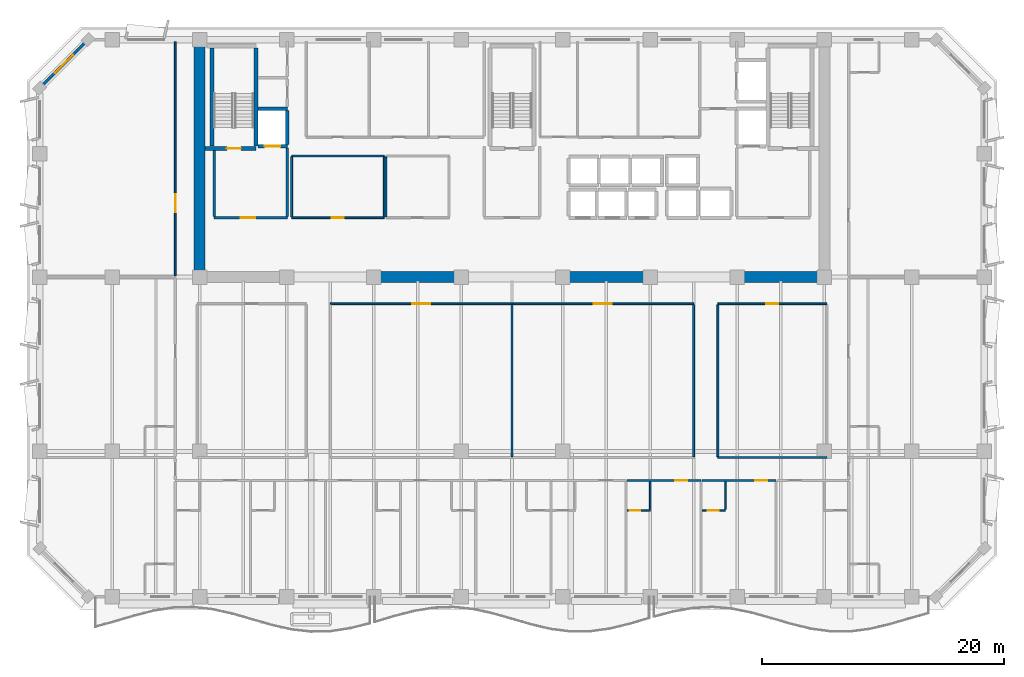
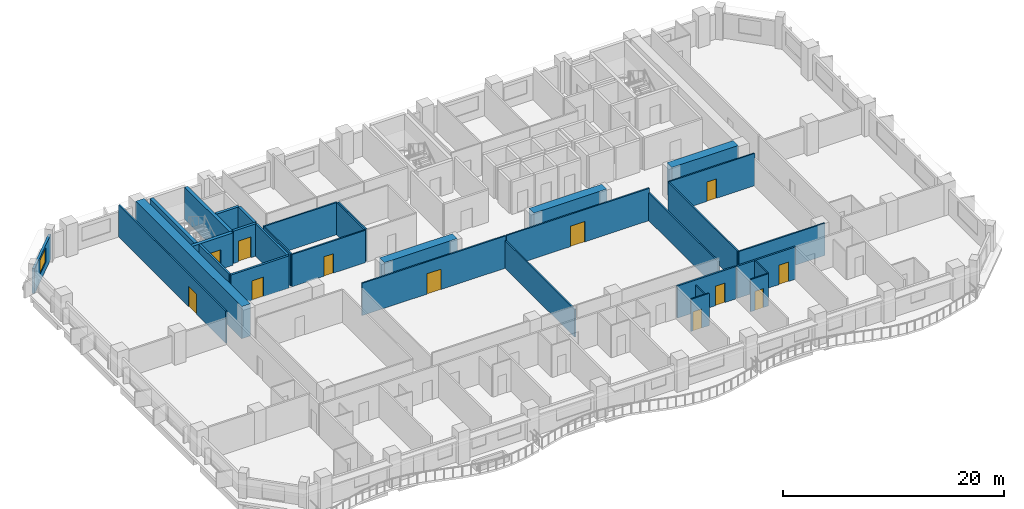
# One storey, part 6 of 15: 33 walls, 12 doors, 1 window, 13 openings.
"""IFC4 building model written with IfcOpenShell, lengths in metres."""

from ifc_helpers import new_model, si_unit, direction, frame, frame_2d, origin, place, context, subcontext, project, spatial, rectangle, extrude, material, layer, layer_set, type_object, element, fill, save


model = new_model("IFC4")

# Units and contexts
model_context = context("Model", 3, precision=1e-05, world=origin(), true_north=direction((0.0, 1.0)))
body_context = subcontext(model_context, "Body", "Model", "MODEL_VIEW")
ifc_project = project(units=[si_unit("LENGTHUNIT", "METRE"), si_unit("AREAUNIT", "SQUARE_METRE"), si_unit("VOLUMEUNIT", "CUBIC_METRE"), si_unit("PLANEANGLEUNIT", "RADIAN"), si_unit("MASSUNIT", "GRAM", prefix="KILO")], contexts=[model_context])

# Site, building, storey
site_placement = place(None, origin())
site = spatial("IfcSite", under=ifc_project, at=site_placement, CompositionType="ELEMENT")
building_placement = place(site_placement, origin())
building = spatial("IfcBuilding", under=site, at=building_placement, Name="Kaelvorn Grand Hotel", CompositionType="ELEMENT")
storey_placement = place(building_placement, frame((0.0, 0.0, 158.14990234375)))
storey = spatial("IfcBuildingStorey", under=building, at=storey_placement, Name="L38", CompositionType="ELEMENT", Elevation=158.14990234375)

# Walls
ifc_material_1 = material(Name="Concrete C60/75", Category="concrete")
ifc_layer_1 = layer(ifc_material_1, 0.89990234375)
ifc_layer_set_1 = layer_set([ifc_layer_1], Name="Concrete C60/75")
wall_type_1 = type_object("IfcWallType", Name="WL-CORE-900-C60", PredefinedType="SHEAR", material=ifc_layer_set_1)
wall_1_placement = place(storey_placement, frame((16.199951171875, 29.39990234375, 0.0), z_axis=(0.0, 0.0, 1.0), x_axis=(0.0, 1.0, 0.0)))
element("IfcWall", 1, at=wall_1_placement, inside=storey, type_object=wall_type_1, Name="L38 Rear-Core West Shear Wall", PredefinedType="SHEAR", context=body_context, shape_type="SweptSolid", body=[
    extrude(rectangle(XDim=19.2001953125, YDim=0.89990234375, at=frame_2d((9.60009765625, 0.0))), origin(), (0.0, 0.0, 1.0), 3.56005859375),
])
for number, where, z_axis, x_axis, name in (
    (2, (30.39990234375, 29.39990234375, 0.0), (0.0, 0.0, 1.0), (1.0, 0.0, 0.0), "L38 Rear-Core Coupled Shear Pier S2"),
    (3, (46.0, 29.39990234375, 0.0), (0.0, 0.0, 1.0), (1.0, 0.0, 0.0), "L38 Rear-Core Coupled Shear Pier S3"),
):
    element("IfcWall", number, at=place(storey_placement, frame(where, z_axis=z_axis, x_axis=x_axis)), inside=storey, type_object=wall_type_1, Name=name, PredefinedType="SHEAR", context=body_context, shape_type="SweptSolid", body=[
        extrude(rectangle(XDim=7.60009765625, YDim=0.89990234375, at=frame_2d((3.800048828125, 0.0))), origin(), (0.0, 0.0, 1.0), 3.56005859375),
    ])
wall_2_placement = place(storey_placement, frame((60.39990234375, 29.39990234375, 0.0), z_axis=(0.0, 0.0, 1.0), x_axis=(1.0, 0.0, 0.0)))
element("IfcWall", 4, at=wall_2_placement, inside=storey, type_object=wall_type_1, Name="L38 Rear-Core Coupled Shear Pier S4", PredefinedType="SHEAR", context=body_context, shape_type="SweptSolid", body=[
    extrude(rectangle(XDim=6.945068359375, YDim=0.89990234375, at=frame_2d((3.47265625, 0.0))), origin(), (0.0, 0.0, 1.0), 3.56005859375),
])

# Wall, opening, window
ifc_material_2 = material(Name="Concrete C40/50", Category="concrete")
ifc_layer_2 = layer(ifc_material_2, 0.239990234375)
ifc_layer_set_2 = layer_set([ifc_layer_2], Name="Concrete C40/50")
wall_type_2 = type_object("IfcWallType", Name="WL-EXT-240-C40", PredefinedType="SOLIDWALL", material=ifc_layer_set_2)
wall_3_placement = place(storey_placement, frame((7.0, 49.0, 0.0), z_axis=(0.0, 0.0, 1.0), x_axis=(-0.707106781187, -0.707106781187, 0.0)))
wall_3 = element("IfcWall", 5, at=wall_3_placement, inside=storey, type_object=wall_type_2, Name="L38 Exterior Architectural Concrete Wall 06", PredefinedType="SOLIDWALL", context=body_context, shape_type="SweptSolid", body=[
    extrude(rectangle(XDim=5.65673828125, YDim=0.239990234375, at=frame_2d((2.828369140625, 0.0))), origin(), (0.0, 0.0, 1.0), 2.760009765625),
])
opening_1_placement = place(wall_3_placement, frame((1.7783203125, 0.0, 0.85009765625)))
opening_1 = element("IfcOpeningElement", 6, at=opening_1_placement, cuts=wall_3, Name="Opening W7", PredefinedType="OPENING", context=body_context, shape_type="SweptSolid", body=[
    extrude(rectangle(XDim=2.10009765625, YDim=1.60009765625, at=frame_2d((1.050048828125, 0.800048828125))), frame((0.0, 0.1298828125, 0.0), z_axis=(0.0, -1.0, 0.0), x_axis=(1.0, 0.0, 0.0)), (0.0, 0.0, 1.0), 0.260009765625),
])
ifc_material_3 = material(Name="Laminated Low-E Glass", Category="glass")
window_type = type_object("IfcWindowType", Name="WIN-CHM-2100x1600", PartitioningType="SINGLE_PANEL", PredefinedType="WINDOW", material=ifc_material_3)
window_placement = place(opening_1_placement, origin())
window = element("IfcWindow", 7, at=window_placement, inside=storey, type_object=window_type, Name="L38 Chamfered 45-Degree Corner Window NW", OverallHeight=1.60009765625, OverallWidth=2.10009765625, PartitioningType="SINGLE_PANEL", PredefinedType="WINDOW", context=body_context, shape_type="SweptSolid", body=[
    extrude(rectangle(XDim=2.10009765625, YDim=1.60009765625, at=frame_2d((1.050048828125, 0.800048828125))), frame((0.0, 0.030029296875, 0.0), z_axis=(0.0, -1.0, 0.0), x_axis=(1.0, 0.0, 0.0)), (0.0, 0.0, 1.0), 0.06005859375),
])
fill(opening_1, window)

# Wall, opening, door
ifc_material_4 = material(Name="Moisture-Resistant Tile & Stud Board")
ifc_layer_3 = layer(ifc_material_4, 0.125)
ifc_layer_set_3 = layer_set([ifc_layer_3], Name="Moisture-Resistant Tile & Stud Board")
wall_type_3 = type_object("IfcWallType", Name="WL-PART-125-WET", PredefinedType="PARTITIONING", material=ifc_layer_set_3)
wall_4_placement = place(storey_placement, frame((51.504150390625, 10.139892578125, 0.0), z_axis=(0.0, 0.0, 1.0), x_axis=(1.0, 0.0, 0.0)))
wall_4 = element("IfcWall", 8, at=wall_4_placement, inside=storey, type_object=wall_type_3, Name="L38 En-suite Bathroom L38-07 S Partition", PredefinedType="PARTITIONING", context=body_context, shape_type="SweptSolid", body=[
    extrude(rectangle(XDim=1.905029296875, YDim=0.125, at=frame_2d((0.95263671875, 0.0))), origin(), (0.0, 0.0, 1.0), 3.56005859375),
])
opening_2_placement = place(wall_4_placement, frame((0.205078125, 0.0, 0.0)))
opening_2 = element("IfcOpeningElement", 9, at=opening_2_placement, cuts=wall_4, Name="Opening DI4", PredefinedType="OPENING", context=body_context, shape_type="SweptSolid", body=[
    extrude(rectangle(XDim=0.89990234375, YDim=2.10009765625, at=frame_2d((0.449951171875, 1.050048828125))), frame((0.0, 0.072509765625, 0.0), z_axis=(0.0, -1.0, 0.0), x_axis=(1.0, 0.0, 0.0)), (0.0, 0.0, 1.0), 0.14501953125),
])
ifc_material_5 = material(Name="Timber Veneer Leaf", Category="wood")
door_type_1 = type_object("IfcDoorType", Name="DR-INT-BATH-900x2100", OperationType="NOTDEFINED", PredefinedType="DOOR", material=ifc_material_5)
door_1_placement = place(opening_2_placement, origin())
door_1 = element("IfcDoor", 10, at=door_1_placement, inside=storey, type_object=door_type_1, Name="L38 En-suite Bathroom L38-07 Door", OperationType="SINGLE_SWING_LEFT", OverallHeight=2.10009765625, OverallWidth=0.89990234375, PredefinedType="DOOR", context=body_context, shape_type="SweptSolid", body=[
    extrude(rectangle(XDim=0.89990234375, YDim=2.10009765625, at=frame_2d((0.449951171875, 1.050048828125))), frame((0.0, 0.02490234375, 0.0), z_axis=(0.0, -1.0, 0.0), x_axis=(1.0, 0.0, 0.0)), (0.0, 0.0, 1.0), 0.050048828125),
])
fill(opening_2, door_1)

# Wall
wall_5_placement = place(storey_placement, frame((53.4091796875, 10.20751953125, 0.0), z_axis=(0.0, 0.0, 1.0), x_axis=(0.0, 1.0, 0.0)))
element("IfcWall", 11, at=wall_5_placement, inside=storey, type_object=wall_type_3, Name="L38 En-suite Bathroom L38-07 E Partition", PredefinedType="PARTITIONING", context=body_context, shape_type="SweptSolid", body=[
    extrude(rectangle(XDim=2.29736328125, YDim=0.125, at=frame_2d((1.148681640625, 0.0))), origin(), (0.0, 0.0, 1.0), 3.010009765625),
])

# Wall, opening, door
wall_6_placement = place(storey_placement, frame((57.705810546875, 10.139892578125, 0.0), z_axis=(0.0, 0.0, 1.0), x_axis=(1.0, 0.0, 0.0)))
wall_6 = element("IfcWall", 12, at=wall_6_placement, inside=storey, type_object=wall_type_3, Name="L38 En-suite Bathroom L38-08 S Partition", PredefinedType="PARTITIONING", context=body_context, shape_type="SweptSolid", body=[
    extrude(rectangle(XDim=1.905029296875, YDim=0.125, at=frame_2d((0.95263671875, 0.0))), origin(), (0.0, 0.0, 1.0), 3.56005859375),
])
opening_3_placement = place(wall_6_placement, frame((0.455078125, 0.0, 0.0)))
opening_3 = element("IfcOpeningElement", 13, at=opening_3_placement, cuts=wall_6, Name="Opening DI4", PredefinedType="OPENING", context=body_context, shape_type="SweptSolid", body=[
    extrude(rectangle(XDim=0.89990234375, YDim=2.10009765625, at=frame_2d((0.449951171875, 1.050048828125))), frame((0.0, 0.072509765625, 0.0), z_axis=(0.0, -1.0, 0.0), x_axis=(1.0, 0.0, 0.0)), (0.0, 0.0, 1.0), 0.14501953125),
])
door_2_placement = place(opening_3_placement, origin())
door_2 = element("IfcDoor", 14, at=door_2_placement, inside=storey, type_object=door_type_1, Name="L38 En-suite Bathroom L38-08 Door", OperationType="SINGLE_SWING_LEFT", OverallHeight=2.10009765625, OverallWidth=0.89990234375, PredefinedType="DOOR", context=body_context, shape_type="SweptSolid", body=[
    extrude(rectangle(XDim=0.89990234375, YDim=2.10009765625, at=frame_2d((0.449951171875, 1.050048828125))), frame((0.0, 0.02490234375, 0.0), z_axis=(0.0, -1.0, 0.0), x_axis=(1.0, 0.0, 0.0)), (0.0, 0.0, 1.0), 0.050048828125),
])
fill(opening_3, door_2)

# Walls
wall_7_placement = place(storey_placement, frame((59.61083984375, 10.20751953125, 0.0), z_axis=(0.0, 0.0, 1.0), x_axis=(0.0, 1.0, 0.0)))
element("IfcWall", 15, at=wall_7_placement, inside=storey, type_object=wall_type_3, Name="L38 En-suite Bathroom L38-08 E Partition", PredefinedType="PARTITIONING", context=body_context, shape_type="SweptSolid", body=[
    extrude(rectangle(XDim=2.29736328125, YDim=0.125, at=frame_2d((1.148681640625, 0.0))), origin(), (0.0, 0.0, 1.0), 3.56005859375),
])
ifc_material_6 = material(Name="Acoustic Gypsum & Stud Partition")
ifc_layer_4 = layer(ifc_material_6, 0.14990234375)
ifc_layer_set_4 = layer_set([ifc_layer_4], Name="Acoustic Gypsum & Stud Partition")
wall_type_4 = type_object("IfcWallType", Name="WL-PART-150-EI60", PredefinedType="PARTITIONING", material=ifc_layer_set_4)
wall_8_placement = place(storey_placement, frame((31.60009765625, 34.3798828125, 0.0), z_axis=(0.0, 0.0, 1.0), x_axis=(0.0, 1.0, 0.0)))
element("IfcWall", 16, at=wall_8_placement, inside=storey, type_object=wall_type_4, Name="L38 Core Telecoms & BMS Server Room W Partition", PredefinedType="PARTITIONING", context=body_context, shape_type="SweptSolid", body=[
    extrude(rectangle(XDim=4.940185546875, YDim=0.14990234375, at=frame_2d((2.47021484375, 0.0))), origin(), (0.0, 0.0, 1.0), 3.56005859375),
])

# Wall, opening, door
wall_9_placement = place(storey_placement, frame((23.800048828125, 34.300048828125, 0.0), z_axis=(0.0, 0.0, 1.0), x_axis=(1.0, 0.0, 0.0)))
wall_9 = element("IfcWall", 17, at=wall_9_placement, inside=storey, type_object=wall_type_4, Name="L38 Executive Club Sitting Lounge S Partition", PredefinedType="PARTITIONING", context=body_context, shape_type="SweptSolid", body=[
    extrude(rectangle(XDim=7.64990234375, YDim=0.14990234375, at=frame_2d((3.824951171875, 0.0))), origin(), (0.0, 0.0, 1.0), 3.56005859375),
])
opening_4_placement = place(wall_9_placement, frame((3.300048828125, 0.0, 0.0)))
opening_4 = element("IfcOpeningElement", 18, at=opening_4_placement, cuts=wall_9, Name="Opening DI3", PredefinedType="OPENING", context=body_context, shape_type="SweptSolid", body=[
    extrude(rectangle(XDim=1.0, YDim=2.14990234375, at=frame_2d((0.5, 1.074951171875))), frame((0.0, 0.0849609375, 0.0), z_axis=(0.0, -1.0, 0.0), x_axis=(1.0, 0.0, 0.0)), (0.0, 0.0, 1.0), 0.169921875),
])
ifc_material_7 = material(Name="Timber Veneer Fire Leaf", Category="wood")
door_type_2 = type_object("IfcDoorType", Name="DR-INT-GUEST-1000x2150", OperationType="NOTDEFINED", PredefinedType="DOOR", material=ifc_material_7)
door_3_placement = place(opening_4_placement, origin())
door_3 = element("IfcDoor", 19, at=door_3_placement, inside=storey, type_object=door_type_2, Name="L38 Executive Club Sitting Lounge Door", OperationType="SINGLE_SWING_LEFT", OverallHeight=2.14990234375, OverallWidth=1.0, PredefinedType="DOOR", context=body_context, shape_type="SweptSolid", body=[
    extrude(rectangle(XDim=1.0, YDim=2.14990234375, at=frame_2d((0.5, 1.074951171875))), frame((0.0, 0.02490234375, 0.0), z_axis=(0.0, -1.0, 0.0), x_axis=(1.0, 0.0, 0.0)), (0.0, 0.0, 1.0), 0.050048828125),
])
fill(opening_4, door_3)

# Walls
wall_10_placement = place(storey_placement, frame((23.800048828125, 39.39990234375, 0.0), z_axis=(0.0, 0.0, 1.0), x_axis=(1.0, 0.0, 0.0)))
element("IfcWall", 20, at=wall_10_placement, inside=storey, type_object=wall_type_4, Name="L38 Executive Club Sitting Lounge N Partition", PredefinedType="PARTITIONING", context=body_context, shape_type="SweptSolid", body=[
    extrude(rectangle(XDim=7.64990234375, YDim=0.14990234375, at=frame_2d((3.824951171875, 0.0))), origin(), (0.0, 0.0, 1.0), 3.56005859375),
])
for number, where, z_axis, x_axis, name in (
    (21, (23.800048828125, 34.3798828125, 0.0), (0.0, 0.0, 1.0), (0.0, 1.0, 0.0), "L38 Executive Club Sitting Lounge W Partition"),
    (22, (31.449951171875, 34.3798828125, 0.0), (0.0, 0.0, 1.0), (0.0, 1.0, 0.0), "L38 Executive Club Sitting Lounge E Partition"),
):
    element("IfcWall", number, at=place(storey_placement, frame(where, z_axis=z_axis, x_axis=x_axis)), inside=storey, type_object=wall_type_4, Name=name, PredefinedType="PARTITIONING", context=body_context, shape_type="SweptSolid", body=[
        extrude(rectangle(XDim=4.940185546875, YDim=0.14990234375, at=frame_2d((2.47021484375, 0.0))), origin(), (0.0, 0.0, 1.0), 3.56005859375),
    ])

# Wall, opening, door
wall_11_placement = place(storey_placement, frame((27.0, 27.199951171875, 0.0), z_axis=(0.0, 0.0, 1.0), x_axis=(1.0, 0.0, 0.0)))
wall_11 = element("IfcWall", 23, at=wall_11_placement, inside=storey, type_object=wall_type_4, Name="L38 Chef Finishing Kitchen N Partition", PredefinedType="PARTITIONING", context=body_context, shape_type="SweptSolid", body=[
    extrude(rectangle(XDim=15.0, YDim=0.14990234375, at=frame_2d((7.5, 0.0))), origin(), (0.0, 0.0, 1.0), 3.56005859375),
])
opening_5_placement = place(wall_11_placement, frame((6.75, 0.0, 0.0)))
opening_5 = element("IfcOpeningElement", 24, at=opening_5_placement, cuts=wall_11, Name="Opening DI5", PredefinedType="OPENING", context=body_context, shape_type="SweptSolid", body=[
    extrude(rectangle(XDim=1.5, YDim=2.25, at=frame_2d((0.75, 1.125))), frame((0.0, 0.0849609375, 0.0), z_axis=(0.0, -1.0, 0.0), x_axis=(1.0, 0.0, 0.0)), (0.0, 0.0, 1.0), 0.169921875),
])
door_type_3 = type_object("IfcDoorType", Name="DR-INT-SALON-1500x2250", OperationType="DOUBLE_DOOR_SINGLE_SWING", PredefinedType="DOOR", material=ifc_material_7)
door_4_placement = place(opening_5_placement, origin())
door_4 = element("IfcDoor", 25, at=door_4_placement, inside=storey, type_object=door_type_3, Name="L38 Chef Finishing Kitchen Door", OperationType="DOUBLE_DOOR_SINGLE_SWING", OverallHeight=2.25, OverallWidth=1.5, PredefinedType="DOOR", context=body_context, shape_type="SweptSolid", body=[
    extrude(rectangle(XDim=1.5, YDim=2.25, at=frame_2d((0.75, 1.125))), frame((0.0, 0.02490234375, 0.0), z_axis=(0.0, -1.0, 0.0), x_axis=(1.0, 0.0, 0.0)), (0.0, 0.0, 1.0), 0.050048828125),
])
fill(opening_5, door_4)

# Wall
wall_12_placement = place(storey_placement, frame((42.0, 14.580078125, 0.0), z_axis=(0.0, 0.0, 1.0), x_axis=(0.0, 1.0, 0.0)))
element("IfcWall", 26, at=wall_12_placement, inside=storey, type_object=wall_type_4, Name="L38 Chef Finishing Kitchen E Partition", PredefinedType="PARTITIONING", context=body_context, shape_type="SweptSolid", body=[
    extrude(rectangle(XDim=12.5400390625, YDim=0.14990234375, at=frame_2d((6.27001953125, 0.0))), origin(), (0.0, 0.0, 1.0), 3.06005859375),
])

# Wall, opening, door
wall_13_placement = place(storey_placement, frame((42.080078125, 27.199951171875, 0.0), z_axis=(0.0, 0.0, 1.0), x_axis=(1.0, 0.0, 0.0)))
wall_13 = element("IfcWall", 27, at=wall_13_placement, inside=storey, type_object=wall_type_4, Name="L38 Conference Seminar Room N Partition", PredefinedType="PARTITIONING", context=body_context, shape_type="SweptSolid", body=[
    extrude(rectangle(XDim=14.919921875, YDim=0.14990234375, at=frame_2d((7.4599609375, 0.0))), origin(), (0.0, 0.0, 1.0), 3.56005859375),
])
opening_6_placement = place(wall_13_placement, frame((6.669921875, 0.0, 0.0)))
opening_6 = element("IfcOpeningElement", 28, at=opening_6_placement, cuts=wall_13, Name="Opening DI5", PredefinedType="OPENING", context=body_context, shape_type="SweptSolid", body=[
    extrude(rectangle(XDim=1.5, YDim=2.25, at=frame_2d((0.75, 1.125))), frame((0.0, 0.0849609375, 0.0), z_axis=(0.0, -1.0, 0.0), x_axis=(1.0, 0.0, 0.0)), (0.0, 0.0, 1.0), 0.169921875),
])
door_5_placement = place(opening_6_placement, origin())
door_5 = element("IfcDoor", 29, at=door_5_placement, inside=storey, type_object=door_type_3, Name="L38 Conference Seminar Room Door", OperationType="DOUBLE_DOOR_SINGLE_SWING", OverallHeight=2.25, OverallWidth=1.5, PredefinedType="DOOR", context=body_context, shape_type="SweptSolid", body=[
    extrude(rectangle(XDim=1.5, YDim=2.25, at=frame_2d((0.75, 1.125))), frame((0.0, 0.02490234375, 0.0), z_axis=(0.0, -1.0, 0.0), x_axis=(1.0, 0.0, 0.0)), (0.0, 0.0, 1.0), 0.050048828125),
])
fill(opening_6, door_5)

# Walls
wall_14_placement = place(storey_placement, frame((57.0, 14.580078125, 0.0), z_axis=(0.0, 0.0, 1.0), x_axis=(0.0, 1.0, 0.0)))
element("IfcWall", 30, at=wall_14_placement, inside=storey, type_object=wall_type_4, Name="L38 Conference Seminar Room E Partition", PredefinedType="PARTITIONING", context=body_context, shape_type="SweptSolid", body=[
    extrude(rectangle(XDim=12.5400390625, YDim=0.14990234375, at=frame_2d((6.27001953125, 0.0))), origin(), (0.0, 0.0, 1.0), 3.06005859375),
])
wall_15_placement = place(storey_placement, frame((59.0, 14.5, 0.0), z_axis=(0.0, 0.0, 1.0), x_axis=(1.0, 0.0, 0.0)))
element("IfcWall", 31, at=wall_15_placement, inside=storey, type_object=wall_type_4, Name="L38 Concierge Admin Office S Partition", PredefinedType="PARTITIONING", context=body_context, shape_type="SweptSolid", body=[
    extrude(rectangle(XDim=9.0, YDim=0.14990234375, at=frame_2d((4.5, 0.0))), origin(), (0.0, 0.0, 1.0), 3.56005859375),
])

# Wall, opening, door
wall_16_placement = place(storey_placement, frame((59.0, 27.199951171875, 0.0), z_axis=(0.0, 0.0, 1.0), x_axis=(1.0, 0.0, 0.0)))
wall_16 = element("IfcWall", 32, at=wall_16_placement, inside=storey, type_object=wall_type_4, Name="L38 Concierge Admin Office N Partition", PredefinedType="PARTITIONING", context=body_context, shape_type="SweptSolid", body=[
    extrude(rectangle(XDim=9.0, YDim=0.14990234375, at=frame_2d((4.5, 0.0))), origin(), (0.0, 0.0, 1.0), 3.56005859375),
])
opening_7_placement = place(wall_16_placement, frame((4.0, 0.0, 0.0)))
opening_7 = element("IfcOpeningElement", 33, at=opening_7_placement, cuts=wall_16, Name="Opening DI3", PredefinedType="OPENING", context=body_context, shape_type="SweptSolid", body=[
    extrude(rectangle(XDim=1.0, YDim=2.14990234375, at=frame_2d((0.5, 1.074951171875))), frame((0.0, 0.0849609375, 0.0), z_axis=(0.0, -1.0, 0.0), x_axis=(1.0, 0.0, 0.0)), (0.0, 0.0, 1.0), 0.169921875),
])
door_6_placement = place(opening_7_placement, origin())
door_6 = element("IfcDoor", 34, at=door_6_placement, inside=storey, type_object=door_type_2, Name="L38 Concierge Admin Office Door", OperationType="SINGLE_SWING_LEFT", OverallHeight=2.14990234375, OverallWidth=1.0, PredefinedType="DOOR", context=body_context, shape_type="SweptSolid", body=[
    extrude(rectangle(XDim=1.0, YDim=2.14990234375, at=frame_2d((0.5, 1.074951171875))), frame((0.0, 0.02490234375, 0.0), z_axis=(0.0, -1.0, 0.0), x_axis=(1.0, 0.0, 0.0)), (0.0, 0.0, 1.0), 0.050048828125),
])
fill(opening_7, door_6)

# Wall
wall_17_placement = place(storey_placement, frame((59.0, 14.580078125, 0.0), z_axis=(0.0, 0.0, 1.0), x_axis=(0.0, 1.0, 0.0)))
element("IfcWall", 35, at=wall_17_placement, inside=storey, type_object=wall_type_4, Name="L38 Concierge Admin Office W Partition", PredefinedType="PARTITIONING", context=body_context, shape_type="SweptSolid", body=[
    extrude(rectangle(XDim=12.5400390625, YDim=0.14990234375, at=frame_2d((6.27001953125, 0.0))), origin(), (0.0, 0.0, 1.0), 3.56005859375),
])

# Wall, opening, door
wall_18_placement = place(storey_placement, frame((14.199951171875, 29.4951171875, 0.0), z_axis=(0.0, 0.0, 1.0), x_axis=(0.0, 1.0, 0.0)))
wall_18 = element("IfcWall", 36, at=wall_18_placement, inside=storey, type_object=wall_type_4, Name="L38 North-West Conference Seminar Room E Partition", PredefinedType="PARTITIONING", context=body_context, shape_type="SweptSolid", body=[
    extrude(rectangle(XDim=19.35498046875, YDim=0.14990234375, at=frame_2d((9.677490234375, 0.0))), origin(), (0.0, 0.0, 1.0), 3.56005859375),
])
opening_8_placement = place(wall_18_placement, frame((5.2548828125, 0.0, 0.0)))
opening_8 = element("IfcOpeningElement", 37, at=opening_8_placement, cuts=wall_18, Name="Opening DI5", PredefinedType="OPENING", context=body_context, shape_type="SweptSolid", body=[
    extrude(rectangle(XDim=1.5, YDim=2.25, at=frame_2d((0.75, 1.125))), frame((0.0, 0.0849609375, 0.0), z_axis=(0.0, -1.0, 0.0), x_axis=(1.0, 0.0, 0.0)), (0.0, 0.0, 1.0), 0.169921875),
])
door_7_placement = place(opening_8_placement, origin())
door_7 = element("IfcDoor", 38, at=door_7_placement, inside=storey, type_object=door_type_3, Name="L38 North-West Conference Seminar Room Door", OperationType="DOUBLE_DOOR_SINGLE_SWING", OverallHeight=2.25, OverallWidth=1.5, PredefinedType="DOOR", context=body_context, shape_type="SweptSolid", body=[
    extrude(rectangle(XDim=1.5, YDim=2.25, at=frame_2d((0.75, 1.125))), frame((0.0, 0.02490234375, 0.0), z_axis=(0.0, -1.0, 0.0), x_axis=(1.0, 0.0, 0.0)), (0.0, 0.0, 1.0), 0.050048828125),
])
fill(opening_8, door_7)

ifc_layer_5 = layer(ifc_material_6, 0.179931640625)
ifc_layer_set_5 = layer_set([ifc_layer_5], Name="Acoustic Gypsum & Stud Partition")
wall_type_5 = type_object("IfcWallType", Name="WL-PART-180-EI60", PredefinedType="PARTITIONING", material=ifc_layer_set_5)
wall_19_placement = place(storey_placement, frame((51.504150390625, 12.60009765625, 0.0), z_axis=(0.0, 0.0, 1.0), x_axis=(1.0, 0.0, 0.0)))
wall_19 = element("IfcWall", 39, at=wall_19_placement, inside=storey, type_object=wall_type_5, Name="L38 Superior King Guest Room L38-07 N Partition", PredefinedType="PARTITIONING", context=body_context, shape_type="SweptSolid", body=[
    extrude(rectangle(XDim=6.106689453125, YDim=0.179931640625, at=frame_2d((3.05322265625, 0.0))), origin(), (0.0, 0.0, 1.0), 3.56005859375),
])
opening_9_placement = place(wall_19_placement, frame((3.955810546875, 0.0, 0.0)))
opening_9 = element("IfcOpeningElement", 40, at=opening_9_placement, cuts=wall_19, Name="Opening DI3", PredefinedType="OPENING", context=body_context, shape_type="SweptSolid", body=[
    extrude(rectangle(XDim=1.0, YDim=2.14990234375, at=frame_2d((0.5, 1.074951171875))), frame((0.0, 0.10009765625, 0.0), z_axis=(0.0, -1.0, 0.0), x_axis=(1.0, 0.0, 0.0)), (0.0, 0.0, 1.0), 0.199951171875),
])
door_8_placement = place(opening_9_placement, origin())
door_8 = element("IfcDoor", 41, at=door_8_placement, inside=storey, type_object=door_type_2, Name="L38 Superior King Guest Room L38-07 Door", OperationType="SINGLE_SWING_RIGHT", OverallHeight=2.14990234375, OverallWidth=1.0, PredefinedType="DOOR", context=body_context, shape_type="SweptSolid", body=[
    extrude(rectangle(XDim=1.0, YDim=2.14990234375, at=frame_2d((0.5, 1.074951171875))), frame((0.0, 0.02490234375, 0.0), z_axis=(0.0, -1.0, 0.0), x_axis=(1.0, 0.0, 0.0)), (0.0, 0.0, 1.0), 0.050048828125),
])
fill(opening_9, door_8)

wall_20_placement = place(storey_placement, frame((57.705810546875, 12.60009765625, 0.0), z_axis=(0.0, 0.0, 1.0), x_axis=(1.0, 0.0, 0.0)))
wall_20 = element("IfcWall", 42, at=wall_20_placement, inside=storey, type_object=wall_type_5, Name="L38 Superior King Guest Room L38-08 N Partition", PredefinedType="PARTITIONING", context=body_context, shape_type="SweptSolid", body=[
    extrude(rectangle(XDim=6.1064453125, YDim=0.179931640625, at=frame_2d((3.05322265625, 0.0))), origin(), (0.0, 0.0, 1.0), 3.56005859375),
])
opening_10_placement = place(wall_20_placement, frame((4.390380859375, 0.0, 0.0)))
opening_10 = element("IfcOpeningElement", 43, at=opening_10_placement, cuts=wall_20, Name="Opening DI3", PredefinedType="OPENING", context=body_context, shape_type="SweptSolid", body=[
    extrude(rectangle(XDim=1.0, YDim=2.14990234375, at=frame_2d((0.5, 1.074951171875))), frame((0.0, 0.10009765625, 0.0), z_axis=(0.0, -1.0, 0.0), x_axis=(1.0, 0.0, 0.0)), (0.0, 0.0, 1.0), 0.199951171875),
])
door_9_placement = place(opening_10_placement, origin())
door_9 = element("IfcDoor", 44, at=door_9_placement, inside=storey, type_object=door_type_2, Name="L38 Superior King Guest Room L38-08 Door", OperationType="SINGLE_SWING_RIGHT", OverallHeight=2.14990234375, OverallWidth=1.0, PredefinedType="DOOR", context=body_context, shape_type="SweptSolid", body=[
    extrude(rectangle(XDim=1.0, YDim=2.14990234375, at=frame_2d((0.5, 1.074951171875))), frame((0.0, 0.02490234375, 0.0), z_axis=(0.0, -1.0, 0.0), x_axis=(1.0, 0.0, 0.0)), (0.0, 0.0, 1.0), 0.050048828125),
])
fill(opening_10, door_9)

ifc_layer_6 = layer(ifc_material_2, 0.219970703125)
ifc_layer_set_6 = layer_set([ifc_layer_6], Name="Concrete C40/50")
wall_type_6 = type_object("IfcWallType", Name="WL-PART-220-EI120", PredefinedType="PARTITIONING", material=ifc_layer_set_6)
wall_21_placement = place(storey_placement, frame((17.39990234375, 34.300048828125, 0.0), z_axis=(0.0, 0.0, 1.0), x_axis=(1.0, 0.0, 0.0)))
wall_21 = element("IfcWall", 45, at=wall_21_placement, inside=storey, type_object=wall_type_6, Name="L38 Firefighting Lift Lobby 1 S Partition", PredefinedType="PARTITIONING", context=body_context, shape_type="SweptSolid", body=[
    extrude(rectangle(XDim=6.050048828125, YDim=0.219970703125, at=frame_2d((3.02490234375, 0.0))), origin(), (0.0, 0.0, 1.0), 3.56005859375),
])
opening_11_placement = place(wall_21_placement, frame((2.199951171875, 0.0, 0.0)))
opening_11 = element("IfcOpeningElement", 46, at=opening_11_placement, cuts=wall_21, Name="Opening DI2", PredefinedType="OPENING", context=body_context, shape_type="SweptSolid", body=[
    extrude(rectangle(XDim=1.199951171875, YDim=2.14990234375, at=frame_2d((0.60009765625, 1.074951171875))), frame((0.0, 0.1201171875, 0.0), z_axis=(0.0, -1.0, 0.0), x_axis=(1.0, 0.0, 0.0)), (0.0, 0.0, 1.0), 0.239990234375),
])
door_type_4 = type_object("IfcDoorType", Name="DR-INT-FFLOB-1200x2150", OperationType="NOTDEFINED", PredefinedType="DOOR", material=ifc_material_7)
door_10_placement = place(opening_11_placement, origin())
door_10 = element("IfcDoor", 47, at=door_10_placement, inside=storey, type_object=door_type_4, Name="L38 Firefighting Lift Lobby 1 Door", OperationType="SINGLE_SWING_RIGHT", OverallHeight=2.14990234375, OverallWidth=1.199951171875, PredefinedType="DOOR", context=body_context, shape_type="SweptSolid", body=[
    extrude(rectangle(XDim=1.199951171875, YDim=2.14990234375, at=frame_2d((0.60009765625, 1.074951171875))), frame((0.0, 0.02490234375, 0.0), z_axis=(0.0, -1.0, 0.0), x_axis=(1.0, 0.0, 0.0)), (0.0, 0.0, 1.0), 0.050048828125),
])
fill(opening_11, door_10)

# Walls
wall_22_placement = place(storey_placement, frame((17.39990234375, 34.4150390625, 0.0), z_axis=(0.0, 0.0, 1.0), x_axis=(0.0, 1.0, 0.0)))
element("IfcWall", 48, at=wall_22_placement, inside=storey, type_object=wall_type_6, Name="L38 Firefighting Lift Lobby 1 W Partition", PredefinedType="PARTITIONING", context=body_context, shape_type="SweptSolid", body=[
    extrude(rectangle(XDim=5.429931640625, YDim=0.219970703125, at=frame_2d((2.71484375, 0.0))), origin(), (0.0, 0.0, 1.0), 3.56005859375),
])
wall_23_placement = place(storey_placement, frame((23.449951171875, 34.4150390625, 0.0), z_axis=(0.0, 0.0, 1.0), x_axis=(0.0, 1.0, 0.0)))
element("IfcWall", 49, at=wall_23_placement, inside=storey, type_object=wall_type_6, Name="L38 Firefighting Lift Lobby 1 E Partition", PredefinedType="PARTITIONING", context=body_context, shape_type="SweptSolid", body=[
    extrude(rectangle(XDim=5.639892578125, YDim=0.219970703125, at=frame_2d((2.81982421875, 0.0))), origin(), (0.0, 0.0, 1.0), 3.56005859375),
])

# Wall, opening, door
ifc_material_8 = material(Name="Concrete C50/60", Category="concrete")
ifc_layer_7 = layer(ifc_material_8, 0.280029296875)
ifc_layer_set_7 = layer_set([ifc_layer_7], Name="Concrete C50/60")
wall_type_7 = type_object("IfcWallType", Name="WL-SHAFT-280-C50", PredefinedType="SHEAR", material=ifc_layer_set_7)
wall_24_placement = place(storey_placement, frame((21.034912109375, 40.199951171875, 0.0), z_axis=(0.0, 0.0, 1.0), x_axis=(1.0, 0.0, 0.0)))
wall_24 = element("IfcWall", 50, at=wall_24_placement, inside=storey, type_object=wall_type_7, Name="L38 Lift FFL1 Shaft South Wall", PredefinedType="SHEAR", context=body_context, shape_type="SweptSolid", body=[
    extrude(rectangle(XDim=2.4150390625, YDim=0.280029296875, at=frame_2d((1.20751953125, 0.0))), origin(), (0.0, 0.0, 1.0), 3.56005859375),
])
opening_12_placement = place(wall_24_placement, frame((0.5400390625, 0.0, 0.0)))
opening_12 = element("IfcOpeningElement", 51, at=opening_12_placement, cuts=wall_24, Name="Opening LD-FFL1", PredefinedType="OPENING", context=body_context, shape_type="SweptSolid", body=[
    extrude(rectangle(XDim=1.300048828125, YDim=2.300048828125, at=frame_2d((0.64990234375, 1.14990234375))), frame((0.0, 0.14990234375, 0.0), z_axis=(0.0, -1.0, 0.0), x_axis=(1.0, 0.0, 0.0)), (0.0, 0.0, 1.0), 0.300048828125),
])
ifc_material_9 = material(Name="Stainless Steel", Category="steel")
door_type_5 = type_object("IfcDoorType", Name="DR-LIFT-SERV-1300x2300", OperationType="DOUBLE_DOOR_SLIDING", PredefinedType="DOOR", material=ifc_material_9)
door_11_placement = place(opening_12_placement, origin())
door_11 = element("IfcDoor", 52, at=door_11_placement, inside=storey, type_object=door_type_5, Name="L38 Lift FFL1 Sliding Landing Door LD-FFL1", OperationType="DOUBLE_DOOR_SLIDING", OverallHeight=2.300048828125, OverallWidth=1.300048828125, PredefinedType="DOOR", context=body_context, shape_type="SweptSolid", body=[
    extrude(rectangle(XDim=1.300048828125, YDim=2.300048828125, at=frame_2d((0.64990234375, 1.14990234375))), frame((0.0, 0.02490234375, 0.0), z_axis=(0.0, -1.0, 0.0), x_axis=(1.0, 0.0, 0.0)), (0.0, 0.0, 1.0), 0.050048828125),
])
fill(opening_12, door_11)

# Walls
wall_25_placement = place(storey_placement, frame((21.034912109375, 43.300048828125, 0.0), z_axis=(0.0, 0.0, 1.0), x_axis=(1.0, 0.0, 0.0)))
element("IfcWall", 53, at=wall_25_placement, inside=storey, type_object=wall_type_7, Name="L38 Lift FFL1 Shaft North Wall", PredefinedType="SHEAR", context=body_context, shape_type="SweptSolid", body=[
    extrude(rectangle(XDim=2.4150390625, YDim=0.280029296875, at=frame_2d((1.20751953125, 0.0))), origin(), (0.0, 0.0, 1.0), 3.56005859375),
])
wall_26_placement = place(storey_placement, frame((23.449951171875, 40.344970703125, 0.0), z_axis=(0.0, 0.0, 1.0), x_axis=(0.0, 1.0, 0.0)))
element("IfcWall", 54, at=wall_26_placement, inside=storey, type_object=wall_type_7, Name="L38 Lift FFL1 Shaft East Wall", PredefinedType="SHEAR", context=body_context, shape_type="SweptSolid", body=[
    extrude(rectangle(XDim=2.81005859375, YDim=0.280029296875, at=frame_2d((1.405029296875, 0.0))), origin(), (0.0, 0.0, 1.0), 3.56005859375),
])

# Wall, opening, door
ifc_layer_8 = layer(ifc_material_1, 0.35009765625)
ifc_layer_set_8 = layer_set([ifc_layer_8], Name="Concrete C60/75")
wall_type_8 = type_object("IfcWallType", Name="WL-SHAFT-350-C60", PredefinedType="SHEAR", material=ifc_layer_set_8)
wall_27_placement = place(storey_placement, frame((16.655029296875, 40.02490234375, 0.0), z_axis=(0.0, 0.0, 1.0), x_axis=(1.0, 0.0, 0.0)))
wall_27 = element("IfcWall", 55, at=wall_27_placement, inside=storey, type_object=wall_type_8, Name="L38 ST1 Stair Shaft South Wall", PredefinedType="SHEAR", context=body_context, shape_type="SweptSolid", body=[
    extrude(rectangle(XDim=4.199951171875, YDim=0.35009765625, at=frame_2d((2.10009765625, 0.0))), origin(), (0.0, 0.0, 1.0), 3.56005859375),
])
opening_13_placement = place(wall_27_placement, frame((1.81005859375, 0.0, 0.0)))
opening_13 = element("IfcOpeningElement", 56, at=opening_13_placement, cuts=wall_27, Name="Opening DI1", PredefinedType="OPENING", context=body_context, shape_type="SweptSolid", body=[
    extrude(rectangle(XDim=1.14990234375, YDim=2.14990234375, at=frame_2d((0.574951171875, 1.074951171875))), frame((0.0, 0.18505859375, 0.0), z_axis=(0.0, -1.0, 0.0), x_axis=(1.0, 0.0, 0.0)), (0.0, 0.0, 1.0), 0.3701171875),
])
door_type_6 = type_object("IfcDoorType", Name="DR-INT-STAIR-1150x2150", OperationType="NOTDEFINED", PredefinedType="DOOR", material=ifc_material_7)
door_12_placement = place(opening_13_placement, origin())
door_12 = element("IfcDoor", 57, at=door_12_placement, inside=storey, type_object=door_type_6, Name="L38 ST1 Exit Stair Fire Door", OperationType="SINGLE_SWING_LEFT", OverallHeight=2.14990234375, OverallWidth=1.14990234375, PredefinedType="DOOR", context=body_context, shape_type="SweptSolid", body=[
    extrude(rectangle(XDim=1.14990234375, YDim=2.14990234375, at=frame_2d((0.574951171875, 1.074951171875))), frame((0.0, 0.02490234375, 0.0), z_axis=(0.0, -1.0, 0.0), x_axis=(1.0, 0.0, 0.0)), (0.0, 0.0, 1.0), 0.050048828125),
])
fill(opening_13, door_12)

# Walls
for number, where, z_axis, x_axis, name in (
    (58, (17.22509765625, 40.205078125, 0.0), (0.0, 0.0, 1.0), (0.0, 1.0, 0.0), "L38 ST1 Stair Shaft West Wall"),
    (59, (20.85498046875, 40.205078125, 0.0), (0.0, 0.0, 1.0), (0.0, 1.0, 0.0), "L38 ST1 Stair Shaft East Wall"),
):
    element("IfcWall", number, at=place(storey_placement, frame(where, z_axis=z_axis, x_axis=x_axis)), inside=storey, type_object=wall_type_8, Name=name, PredefinedType="SHEAR", context=body_context, shape_type="SweptSolid", body=[
        extrude(rectangle(XDim=8.08984375, YDim=0.35009765625, at=frame_2d((4.044921875, 0.0))), origin(), (0.0, 0.0, 1.0), 3.56005859375),
    ])

save(model, "model.ifc")
